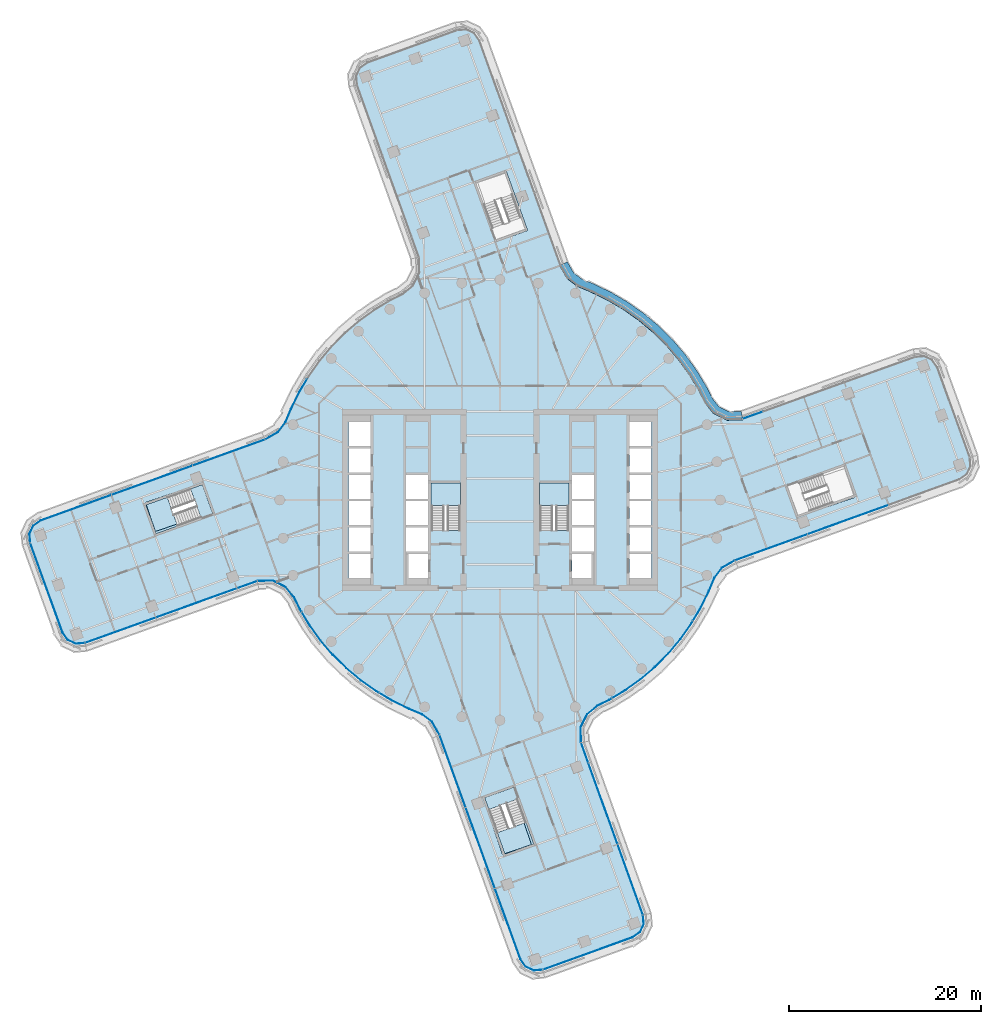
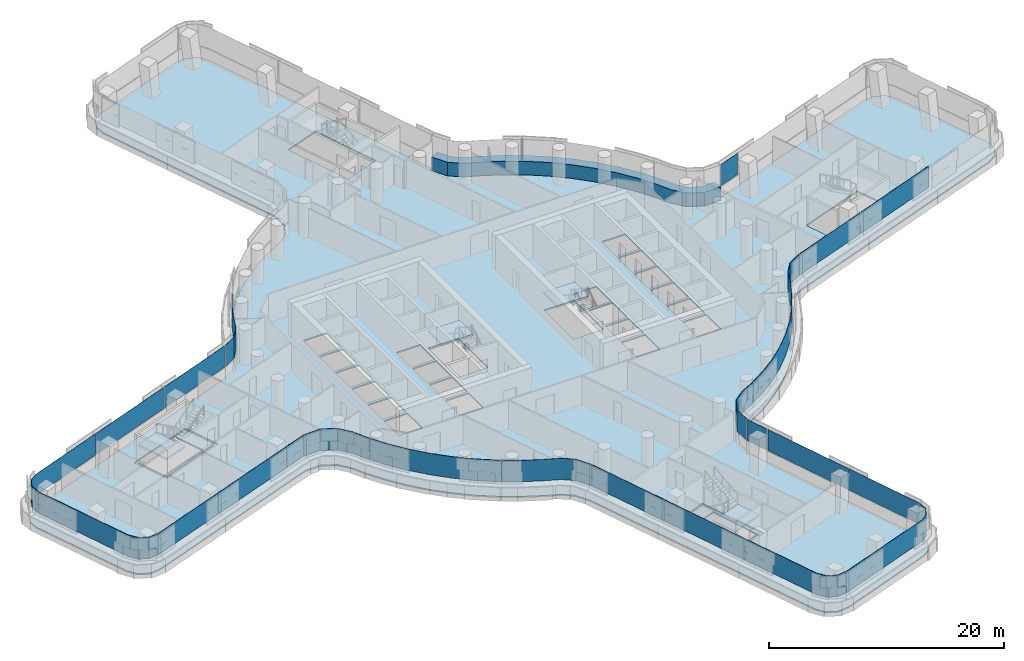
# One storey, part 16 of 30: 24 plates, 7 slabs, 1 member, 16 elements without a shape of their own.
"""IFC4 building model written with IfcOpenShell, lengths in metres."""

from ifc_helpers import new_model, si_unit, direction, frame, origin, place, context, subcontext, project, spatial, polyline, outline, extrude, material, layer, layer_set, type_object, element, aggregate, save


model = new_model("IFC4")

# Units and contexts
model_context = context("Model", 3, precision=1e-05, world=origin(), true_north=direction((0.0, 1.0)))
body_context = subcontext(model_context, "Body", "Model", "MODEL_VIEW")
ifc_project = project(units=[si_unit("LENGTHUNIT", "METRE"), si_unit("AREAUNIT", "SQUARE_METRE"), si_unit("VOLUMEUNIT", "CUBIC_METRE"), si_unit("PLANEANGLEUNIT", "RADIAN"), si_unit("MASSUNIT", "GRAM", prefix="KILO")], contexts=[model_context])

# Site, building, storey
site_placement = place(None, origin())
site = spatial("IfcSite", under=ifc_project, at=site_placement, CompositionType="ELEMENT")
building_placement = place(site_placement, origin())
building = spatial("IfcBuilding", under=site, at=building_placement, Name="Tamarind Cross Interchange Tower", CompositionType="ELEMENT")
storey_placement = place(building_placement, frame((0.0, 0.0, 106.0)))
storey = spatial("IfcBuildingStorey", under=building, at=storey_placement, Name="L25", CompositionType="ELEMENT", Elevation=106.0)

# Curtain wall, member
ifc_material_1 = material(Name="Aluminium 6063-T6", Category="aluminium")
ifc_layer_1 = layer(ifc_material_1, 0.159912109375)
ifc_layer_set_1 = layer_set([ifc_layer_1], Name="Aluminium 6063-T6")
curtain_wall_type = type_object("IfcCurtainWallType", Name="Office curtain wall, 9.0 m bays", PredefinedType="NOTDEFINED", material=ifc_layer_set_1)
curtain_wall_1_placement = place(storey_placement, origin())
curtain_wall_1 = element("IfcCurtainWall", 1, at=curtain_wall_1_placement, inside=storey, type_object=curtain_wall_type, Name="CWS-L25-10", PredefinedType="NOTDEFINED")
ifc_material_2 = material(Name="Aluminium and insulated spandrel panel", Category="aluminium")
member_type = type_object("IfcMemberType", Name="Floor-edge blade transom", PredefinedType="USERDEFINED", material=ifc_material_2)
member_placement = place(storey_placement, origin())
member = element("IfcMember", 2, at=member_placement, type_object=member_type, Name="CWT-L25-10", ObjectType="TRANSOM", PredefinedType="USERDEFINED", context=body_context, shape_type="SweptSolid", body=[
    extrude(outline(polyline([(25.362060546875, 8.368408203125), (23.6923828125, 8.321044921875), (22.293701171875, 9.0234375), (21.4052734375, 10.130859375), (20.791259765625, 11.3671875), (19.78125, 13.045654296875), (18.636474609375, 14.634521484375), (17.3642578125, 16.12353515625), (15.973388671875, 17.50244140625), (14.4736328125, 18.76171875), (12.874755859375, 19.892822265625), (11.188232421875, 20.88818359375), (9.4208984375, 21.74267578125), (8.06201171875, 22.31494140625), (7.00537109375, 23.119140625), (6.510986328125, 23.973876953125), (6.220458984375, 24.50048828125), (7.04296875, 24.873046875), (7.294677734375, 24.41650390625), (7.694091796875, 23.72607421875), (8.516357421875, 23.10009765625), (9.79150390625, 22.56298828125), (11.613525390625, 21.68212890625), (13.3642578125, 20.64892578125), (15.023681640625, 19.474853515625), (16.580810546875, 18.167724609375), (18.0244140625, 16.736572265625), (19.344970703125, 15.19091796875), (20.533203125, 13.54150390625), (21.5810546875, 11.800048828125), (22.16796875, 10.6181640625), (22.873046875, 9.73974609375), (23.8935546875, 9.22705078125), (25.19287109375, 9.263916015625), (25.362060546875, 8.368408203125)])), origin(), (0.0, 0.0, 1.0), 1.39990234375),
])
aggregate(curtain_wall_1, [member])

# Slabs
ifc_material_3 = material(Name="Concrete C35", Category="concrete")
ifc_layer_2 = layer(ifc_material_3, 0.139892578125)
ifc_layer_set_2 = layer_set([ifc_layer_2], Name="Concrete C35")
slab_type_1 = type_object("IfcSlabType", Name="Composite slab 140 Concrete C35", PredefinedType="FLOOR", material=ifc_layer_set_2)
slab_1_placement = place(storey_placement, frame((0.0, 0.0, -0.139892578125)))
element("IfcSlab", 3, at=slab_1_placement, inside=storey, type_object=slab_type_1, Name="Floor slab L25", PredefinedType="FLOOR", context=body_context, shape_type="SweptSolid", body=[
    extrude(outline(polyline([(-24.121337890625, 6.772216796875), (-24.624755859375, 6.49462890625), (-48.049072265625, -1.96240234375), (-48.898681640625, -2.553955078125), (-49.338623046875, -3.490966796875), (-49.2509765625, -4.522705078125), (-45.855224609375, -13.928466796875), (-45.263671875, -14.778076171875), (-44.326416015625, -15.218017578125), (-43.294921875, -15.13037109375), (-25.3056640625, -8.6669921875), (-23.759521484375, -8.623046875), (-22.48681640625, -9.26220703125), (-21.659423828125, -10.293212890625), (-21.054443359375, -11.511474609375), (-20.031982421875, -13.2109375), (-18.87255859375, -14.820068359375), (-17.584228515625, -16.327880859375), (-16.17578125, -17.72412109375), (-14.656982421875, -18.99951171875), (-13.0380859375, -20.14501953125), (-11.329833984375, -21.15283203125), (-9.54443359375, -22.01611328125), (-8.21337890625, -22.57666015625), (-7.23486328125, -23.3212890625), (-6.772216796875, -24.121337890625), (-6.49462890625, -24.624755859375), (1.96240234375, -48.049072265625), (2.553955078125, -48.898681640625), (3.490966796875, -49.338623046875), (4.522705078125, -49.2509765625), (13.928466796875, -45.855224609375), (14.778076171875, -45.263671875), (15.218017578125, -44.326416015625), (15.13037109375, -43.294921875), (8.6669921875, -25.3056640625), (8.623046875, -23.759521484375), (9.26220703125, -22.48681640625), (10.293212890625, -21.659423828125), (11.511474609375, -21.054443359375), (13.2109375, -20.031982421875), (14.820068359375, -18.87255859375), (16.327880859375, -17.584228515625), (17.72412109375, -16.17578125), (18.99951171875, -14.656982421875), (20.14501953125, -13.0380859375), (21.15283203125, -11.329833984375), (22.01611328125, -9.54443359375), (22.57666015625, -8.21337890625), (23.3212890625, -7.23486328125), (24.121337890625, -6.772216796875), (24.624755859375, -6.49462890625), (48.049072265625, 1.96240234375), (48.898681640625, 2.553955078125), (49.338623046875, 3.490966796875), (49.2509765625, 4.522705078125), (45.855224609375, 13.928466796875), (45.263671875, 14.778076171875), (44.326416015625, 15.218017578125), (43.294921875, 15.13037109375), (25.3056640625, 8.6669921875), (23.759521484375, 8.623046875), (22.48681640625, 9.26220703125), (21.659423828125, 10.293212890625), (21.054443359375, 11.511474609375), (20.031982421875, 13.2109375), (18.87255859375, 14.820068359375), (17.584228515625, 16.327880859375), (16.17578125, 17.72412109375), (14.656982421875, 18.99951171875), (13.0380859375, 20.14501953125), (11.329833984375, 21.15283203125), (9.54443359375, 22.01611328125), (8.21337890625, 22.57666015625), (7.23486328125, 23.3212890625), (6.772216796875, 24.121337890625), (6.49462890625, 24.624755859375), (-1.96240234375, 48.049072265625), (-2.553955078125, 48.898681640625), (-3.490966796875, 49.338623046875), (-4.522705078125, 49.2509765625), (-13.928466796875, 45.855224609375), (-14.778076171875, 45.263671875), (-15.218017578125, 44.326416015625), (-15.13037109375, 43.294921875), (-8.6669921875, 25.3056640625), (-8.623046875, 23.759521484375), (-9.26220703125, 22.48681640625), (-10.293212890625, 21.659423828125), (-11.511474609375, 21.054443359375), (-13.2109375, 20.031982421875), (-14.820068359375, 18.87255859375), (-16.327880859375, 17.584228515625), (-17.72412109375, 16.17578125), (-18.99951171875, 14.656982421875), (-20.14501953125, 13.0380859375), (-21.15283203125, 11.329833984375), (-22.01611328125, 9.54443359375), (-22.57666015625, 8.21337890625), (-23.3212890625, 7.23486328125), (-24.121337890625, 6.772216796875)]), holes=[polyline([(-13.5, -8.125), (-15.800048828125, -8.125), (-15.800048828125, -5.625), (-13.5, -5.625), (-13.5, -8.125)]), polyline([(-7.5, -8.125), (-9.800048828125, -8.125), (-9.800048828125, -5.625), (-7.5, -5.625), (-7.5, -8.125)]), polyline([(-13.5, -5.375), (-15.800048828125, -5.375), (-15.800048828125, -2.875), (-13.5, -2.875), (-13.5, -5.375)]), polyline([(-36.0458984375, -3.795166015625), (-36.11376953125, -3.607177734375), (-37.200439453125, -0.59716796875), (-37.268310546875, -0.4091796875), (-37.0, -0.312255859375), (-37.01953125, -0.255615234375), (-33.905517578125, 0.804931640625), (-30.966552734375, 1.8662109375), (-30.898681640625, 1.677978515625), (-29.81201171875, -1.331787109375), (-29.743896484375, -1.52001953125), (-36.0458984375, -3.795166015625)]), polyline([(-13.5, -2.625), (-15.800048828125, -2.625), (-15.800048828125, -0.125), (-13.5, -0.125), (-13.5, -2.625)]), polyline([(-7.5, -2.625), (-9.800048828125, -2.625), (-9.800048828125, -0.125), (-7.5, -0.125), (-7.5, -2.625)]), polyline([(-13.5, 0.125), (-15.800048828125, 0.125), (-15.800048828125, 2.625), (-13.5, 2.625), (-13.5, 0.125)]), polyline([(-7.5, 0.125), (-9.800048828125, 0.125), (-9.800048828125, 2.625), (-7.5, 2.625), (-7.5, 0.125)]), polyline([(-13.5, 2.875), (-15.800048828125, 2.875), (-15.800048828125, 5.375), (-13.5, 5.375), (-13.5, 2.875)]), polyline([(-15.800048828125, 5.625), (-15.800048828125, 8.125), (-13.5, 8.125), (-13.5, 5.625), (-15.800048828125, 5.625)]), polyline([(3.795166015625, -36.0458984375), (3.607177734375, -36.11376953125), (0.59716796875, -37.200439453125), (0.4091796875, -37.268310546875), (0.312255859375, -37.0), (0.255615234375, -37.01953125), (-0.804931640625, -33.905517578125), (-1.8662109375, -30.966552734375), (-1.677978515625, -30.898681640625), (1.331787109375, -29.81201171875), (1.52001953125, -29.743896484375), (3.795166015625, -36.0458984375)]), polyline([(-9.800048828125, -5.375), (-9.800048828125, -2.875), (-7.5, -2.875), (-7.5, -5.375), (-9.800048828125, -5.375)]), polyline([(-4.199951171875, -3.18798828125), (-7.14990234375, -3.18798828125), (-7.14990234375, 1.800048828125), (-4.199951171875, 1.800048828125), (-4.199951171875, -3.18798828125)]), polyline([(7.14990234375, 1.800048828125), (7.14990234375, -3.18798828125), (4.199951171875, -3.18798828125), (4.199951171875, 1.800048828125), (7.14990234375, 1.800048828125)]), polyline([(7.5, 2.625), (9.800048828125, 2.625), (9.800048828125, 0.125), (7.5, 0.125), (7.5, 2.625)]), polyline([(-2.776611328125, 33.22412109375), (-2.58837890625, 33.2919921875), (0.42138671875, 34.378662109375), (0.609619140625, 34.446533203125), (0.70654296875, 34.177978515625), (0.711669921875, 34.1796875), (0.804931640625, 33.905517578125), (2.884765625, 28.144775390625), (2.69677734375, 28.076904296875), (-0.313232421875, 26.990234375), (-0.501220703125, 26.92236328125), (-2.776611328125, 33.22412109375)]), polyline([(7.5, -5.625), (9.800048828125, -5.625), (9.800048828125, -8.125), (7.5, -8.125), (7.5, -5.625)]), polyline([(15.800048828125, -5.625), (15.800048828125, -8.125), (13.5, -8.125), (13.5, -5.625), (15.800048828125, -5.625)]), polyline([(9.800048828125, -2.875), (9.800048828125, -5.375), (7.5, -5.375), (7.5, -2.875), (9.800048828125, -2.875)]), polyline([(13.5, -2.875), (15.800048828125, -2.875), (15.800048828125, -5.375), (13.5, -5.375), (13.5, -2.875)]), polyline([(7.5, -0.125), (9.800048828125, -0.125), (9.800048828125, -2.625), (7.5, -2.625), (7.5, -0.125)]), polyline([(13.5, -0.125), (15.800048828125, -0.125), (15.800048828125, -2.625), (13.5, -2.625), (13.5, -0.125)]), polyline([(30.966552734375, -1.8662109375), (30.898681640625, -1.677978515625), (29.81201171875, 1.331787109375), (29.743896484375, 1.52001953125), (36.0458984375, 3.795166015625), (36.11376953125, 3.607177734375), (37.200439453125, 0.59716796875), (37.268310546875, 0.4091796875), (37.0, 0.312255859375), (37.01953125, 0.255615234375), (33.905517578125, -0.804931640625), (30.966552734375, -1.8662109375)]), polyline([(15.800048828125, 2.625), (15.800048828125, 0.125), (13.5, 0.125), (13.5, 2.625), (15.800048828125, 2.625)]), polyline([(15.800048828125, 5.375), (15.800048828125, 2.875), (13.5, 2.875), (13.5, 5.375), (15.800048828125, 5.375)]), polyline([(15.800048828125, 8.125), (15.800048828125, 5.625), (13.5, 5.625), (13.5, 8.125), (15.800048828125, 8.125)])]), origin(), (0.0, 0.0, 1.0), 0.139892578125),
])
slab_2_placement = place(storey_placement, frame((0.0, 0.0, -0.139892578125)))
element("IfcSlab", 4, at=slab_2_placement, inside=storey, type_object=slab_type_1, Name="Floor slab L25", PredefinedType="FLOOR", context=body_context, shape_type="SweptSolid", body=[
    extrude(outline(polyline([(-30.0, -1.39990234375), (-31.086669921875, 1.610107421875), (-32.32080078125, 1.16455078125), (-31.291748046875, -1.685302734375), (-35.98779296875, -3.28466796875), (-36.935791015625, -0.501708984375), (-37.01220703125, -0.529296875), (-35.92578125, -3.539306640625), (-30.0, -1.39990234375)])), origin(), (0.0, 0.0, 1.0), 0.139892578125),
])
slab_3_placement = place(storey_placement, frame((0.0, 0.0, -0.139892578125)))
element("IfcSlab", 5, at=slab_3_placement, inside=storey, type_object=slab_type_1, Name="Floor slab L25", PredefinedType="FLOOR", context=body_context, shape_type="SweptSolid", body=[
    extrude(outline(polyline([(1.39990234375, -30.0), (-1.610107421875, -31.086669921875), (-1.16455078125, -32.32080078125), (1.685302734375, -31.291748046875), (3.28466796875, -35.98779296875), (0.501708984375, -36.935791015625), (0.529296875, -37.01220703125), (3.539306640625, -35.92578125), (1.39990234375, -30.0)])), origin(), (0.0, 0.0, 1.0), 0.139892578125),
])

# Stair, slab
ifc_material_4 = material(Name="Exit stair")
stair_type = type_object("IfcStairType", Name="Exit stair", PredefinedType="HALF_TURN_STAIR", material=ifc_material_4)
stair_1_placement = place(storey_placement, origin())
stair_1 = element("IfcStair", 6, at=stair_1_placement, inside=storey, type_object=stair_type, Name="L25 exit stair ST1", PredefinedType="HALF_TURN_STAIR")
ifc_material_5 = material(Name="Concrete C40", Category="concrete")
ifc_layer_3 = layer(ifc_material_5, 0.199951171875)
ifc_layer_set_3 = layer_set([ifc_layer_3], Name="Concrete C40")
slab_type_2 = type_object("IfcSlabType", Name="Stair landing", PredefinedType="LANDING", material=ifc_layer_set_3)
slab_4_placement = place(storey_placement, frame((0.0, 0.0, 1.675048828125)))
slab_4 = element("IfcSlab", 7, at=slab_4_placement, type_object=slab_type_2, Name="ST1 landing 1", PredefinedType="LANDING", context=body_context, shape_type="SweptSolid", body=[
    extrude(outline(polyline([(-4.10009765625, -0.60009765625), (-4.10009765625, 1.800048828125), (-7.199951171875, 1.800048828125), (-7.199951171875, -0.60009765625), (-4.10009765625, -0.60009765625)])), origin(), (0.0, 0.0, 1.0), 0.199951171875),
])
aggregate(stair_1, [slab_4])

stair_2_placement = place(storey_placement, origin())
stair_2 = element("IfcStair", 8, at=stair_2_placement, inside=storey, type_object=stair_type, Name="L25 exit stair ST2", PredefinedType="HALF_TURN_STAIR")
slab_5_placement = place(storey_placement, frame((0.0, 0.0, 1.675048828125)))
slab_5 = element("IfcSlab", 9, at=slab_5_placement, type_object=slab_type_2, Name="ST2 landing 1", PredefinedType="LANDING", context=body_context, shape_type="SweptSolid", body=[
    extrude(outline(polyline([(7.199951171875, -0.60009765625), (7.199951171875, 1.800048828125), (4.10009765625, 1.800048828125), (4.10009765625, -0.60009765625), (7.199951171875, -0.60009765625)])), origin(), (0.0, 0.0, 1.0), 0.199951171875),
])
aggregate(stair_2, [slab_5])

stair_3_placement = place(storey_placement, origin())
stair_3 = element("IfcStair", 10, at=stair_3_placement, inside=storey, type_object=stair_type, Name="L25 exit stair ST5", PredefinedType="HALF_TURN_STAIR")
slab_6_placement = place(storey_placement, frame((0.0, 0.0, 1.675048828125)))
slab_6 = element("IfcSlab", 11, at=slab_6_placement, type_object=slab_type_2, Name="ST5 landing 1", PredefinedType="LANDING", context=body_context, shape_type="SweptSolid", body=[
    extrude(outline(polyline([(-34.74365234375, 0.289794921875), (-37.01220703125, -0.529296875), (-35.92578125, -3.5390625), (-33.656982421875, -2.72021484375), (-34.74365234375, 0.289794921875)])), origin(), (0.0, 0.0, 1.0), 0.199951171875),
])
aggregate(stair_3, [slab_6])

stair_4_placement = place(storey_placement, origin())
stair_4 = element("IfcStair", 12, at=stair_4_placement, inside=storey, type_object=stair_type, Name="L25 exit stair ST6", PredefinedType="HALF_TURN_STAIR")
slab_7_placement = place(storey_placement, frame((0.0, 0.0, 1.675048828125)))
slab_7 = element("IfcSlab", 13, at=slab_7_placement, type_object=slab_type_2, Name="ST6 landing 1", PredefinedType="LANDING", context=body_context, shape_type="SweptSolid", body=[
    extrude(outline(polyline([(-0.289794921875, -34.74365234375), (0.529296875, -37.01220703125), (3.5390625, -35.92578125), (2.72021484375, -33.656982421875), (-0.289794921875, -34.74365234375)])), origin(), (0.0, 0.0, 1.0), 0.199951171875),
])
aggregate(stair_4, [slab_7])

# Curtain wall, plate
curtain_wall_2_placement = place(storey_placement, origin())
curtain_wall_2 = element("IfcCurtainWall", 14, at=curtain_wall_2_placement, inside=storey, type_object=curtain_wall_type, Name="CWS-L25-00", PredefinedType="NOTDEFINED")
ifc_material_6 = material(Name="Laminated low-e glass 8+1.52+8", Category="glass")
ifc_layer_4 = layer(ifc_material_6, 0.028076171875)
ifc_layer_set_4 = layer_set([ifc_layer_4], Name="Laminated low-e glass 8+1.52+8")
plate_type = type_object("IfcPlateType", Name="Vision panel CW1", PredefinedType="CURTAIN_PANEL", material=ifc_layer_set_4)
plate_1_placement = place(storey_placement, frame((0.0, 0.0, 1.39990234375)))
plate_1 = element("IfcPlate", 15, at=plate_1_placement, type_object=plate_type, Name="CWP-L25-00-00", PredefinedType="CURTAIN_PANEL", context=body_context, shape_type="SweptSolid", body=[
    extrude(outline(polyline([(-49.030517578125, -4.5029296875), (-45.66357421875, -13.8291015625), (-45.120849609375, -14.608642578125), (-44.287353515625, -14.999755859375), (-43.368896484375, -14.921875), (-43.36669921875, -14.94970703125), (-44.29248046875, -15.0283203125), (-45.139404296875, -14.630859375), (-45.688720703125, -13.84228515625), (-49.056884765625, -4.512451171875), (-49.030517578125, -4.5029296875)])), origin(), (0.0, 0.0, 1.0), 2.210205078125),
])
aggregate(curtain_wall_2, [plate_1])

# Curtain wall, plates
curtain_wall_3_placement = place(storey_placement, origin())
curtain_wall_3 = element("IfcCurtainWall", 16, at=curtain_wall_3_placement, inside=storey, type_object=curtain_wall_type, Name="CWS-L25-01", PredefinedType="NOTDEFINED")
plate_2_placement = place(storey_placement, frame((0.0, 0.0, 1.39990234375)))
plate_2 = element("IfcPlate", 17, at=plate_2_placement, type_object=plate_type, Name="CWP-L25-01-00", PredefinedType="CURTAIN_PANEL", context=body_context, shape_type="SweptSolid", body=[
    extrude(outline(polyline([(-43.314453125, -14.909912109375), (-35.964599609375, -12.269287109375), (-35.955078125, -12.295654296875), (-43.304931640625, -14.936279296875), (-43.314453125, -14.909912109375)])), origin(), (0.0, 0.0, 1.0), 2.210205078125),
])
plate_3_placement = place(storey_placement, frame((0.0, 0.0, 1.39990234375)))
plate_3 = element("IfcPlate", 18, at=plate_3_placement, type_object=plate_type, Name="CWP-L25-01-01", PredefinedType="CURTAIN_PANEL", context=body_context, shape_type="SweptSolid", body=[
    extrude(outline(polyline([(-35.908203125, -12.2490234375), (-27.4921875, -9.22509765625), (-27.482666015625, -9.25146484375), (-35.898681640625, -12.275390625), (-35.908203125, -12.2490234375)])), origin(), (0.0, 0.0, 1.0), 2.210205078125),
])
plate_4_placement = place(storey_placement, frame((0.0, 0.0, 1.39990234375)))
plate_4 = element("IfcPlate", 19, at=plate_4_placement, type_object=plate_type, Name="CWP-L25-01-02", PredefinedType="CURTAIN_PANEL", context=body_context, shape_type="SweptSolid", body=[
    extrude(outline(polyline([(-27.435546875, -9.204833984375), (-25.376220703125, -8.46484375), (-25.36669921875, -8.4912109375), (-27.42626953125, -9.231201171875), (-27.435546875, -9.204833984375)])), origin(), (0.0, 0.0, 1.0), 2.210205078125),
])
aggregate(curtain_wall_3, [plate_2, plate_3, plate_4])

curtain_wall_4_placement = place(storey_placement, origin())
curtain_wall_4 = element("IfcCurtainWall", 20, at=curtain_wall_4_placement, inside=storey, type_object=curtain_wall_type, Name="CWS-L25-02", PredefinedType="NOTDEFINED")
plate_5_placement = place(storey_placement, frame((0.0, 0.0, 1.39990234375)))
plate_5 = element("IfcPlate", 21, at=plate_5_placement, type_object=plate_type, Name="CWP-L25-02-00", PredefinedType="CURTAIN_PANEL", context=body_context, shape_type="SweptSolid", body=[
    extrude(outline(polyline([(-25.313720703125, -8.453125), (-23.711669921875, -8.407470703125), (-22.34912109375, -9.092041015625), (-21.478271484375, -10.177490234375), (-20.86669921875, -11.40869140625), (-20.707275390625, -11.67333984375), (-20.731201171875, -11.68798828125), (-20.89111328125, -11.422119140625), (-21.501953125, -10.192626953125), (-22.3671875, -9.1142578125), (-23.718017578125, -8.435791015625), (-25.312744140625, -8.481201171875), (-25.313720703125, -8.453125)])), origin(), (0.0, 0.0, 1.0), 2.210205078125),
])
plate_6_placement = place(storey_placement, frame((0.0, 0.0, 1.39990234375)))
plate_6 = element("IfcPlate", 22, at=plate_6_placement, type_object=plate_type, Name="CWP-L25-02-01", PredefinedType="CURTAIN_PANEL", context=body_context, shape_type="SweptSolid", body=[
    extrude(outline(polyline([(-20.67626953125, -11.724853515625), (-19.85302734375, -13.093017578125), (-18.7041015625, -14.687744140625), (-17.42724609375, -16.18212890625), (-16.031494140625, -17.56591796875), (-14.526123046875, -18.829833984375), (-12.921630859375, -19.965087890625), (-12.658935546875, -20.1201171875), (-12.673095703125, -20.144287109375), (-12.936767578125, -19.988525390625), (-14.543212890625, -18.85205078125), (-16.05029296875, -17.586669921875), (-17.44775390625, -16.201171875), (-18.72607421875, -14.705078125), (-19.87646484375, -13.1083984375), (-20.700439453125, -11.7392578125), (-20.67626953125, -11.724853515625)])), origin(), (0.0, 0.0, 1.0), 2.210205078125),
])
plate_7_placement = place(storey_placement, frame((0.0, 0.0, 1.39990234375)))
plate_7 = element("IfcPlate", 23, at=plate_7_placement, type_object=plate_type, Name="CWP-L25-02-02", PredefinedType="CURTAIN_PANEL", context=body_context, shape_type="SweptSolid", body=[
    extrude(outline(polyline([(-12.607177734375, -20.150634765625), (-11.228759765625, -20.9638671875), (-9.456298828125, -21.821044921875), (-8.10546875, -22.389892578125), (-7.071044921875, -23.17724609375), (-6.5859375, -24.01611328125), (-6.314208984375, -24.5087890625), (-6.338623046875, -24.5224609375), (-6.6103515625, -24.02978515625), (-7.092529296875, -23.196044921875), (-8.11962890625, -22.414306640625), (-9.4677734375, -21.8466796875), (-11.241943359375, -20.98876953125), (-12.621337890625, -20.1748046875), (-12.607177734375, -20.150634765625)])), origin(), (0.0, 0.0, 1.0), 2.210205078125),
])
aggregate(curtain_wall_4, [plate_5, plate_6, plate_7])

curtain_wall_5_placement = place(storey_placement, origin())
curtain_wall_5 = element("IfcCurtainWall", 24, at=curtain_wall_5_placement, inside=storey, type_object=curtain_wall_type, Name="CWS-L25-03", PredefinedType="NOTDEFINED")
plate_8_placement = place(storey_placement, frame((0.0, 0.0, 1.39990234375)))
plate_8 = element("IfcPlate", 25, at=plate_8_placement, type_object=plate_type, Name="CWP-L25-03-00", PredefinedType="CURTAIN_PANEL", context=body_context, shape_type="SweptSolid", body=[
    extrude(outline(polyline([(-6.28857421875, -24.5654296875), (-3.5810546875, -32.06494140625), (-3.607177734375, -32.074462890625), (-6.31494140625, -24.574951171875), (-6.28857421875, -24.5654296875)])), origin(), (0.0, 0.0, 1.0), 2.210205078125),
])
plate_9_placement = place(storey_placement, frame((0.0, 0.0, 1.39990234375)))
plate_9 = element("IfcPlate", 26, at=plate_9_placement, type_object=plate_type, Name="CWP-L25-03-01", PredefinedType="CURTAIN_PANEL", context=body_context, shape_type="SweptSolid", body=[
    extrude(outline(polyline([(-3.560546875, -32.121337890625), (-0.526123046875, -40.526611328125), (-0.552490234375, -40.5361328125), (-3.5869140625, -32.130859375), (-3.560546875, -32.121337890625)])), origin(), (0.0, 0.0, 1.0), 2.210205078125),
])
plate_10_placement = place(storey_placement, frame((0.0, 0.0, 1.39990234375)))
plate_10 = element("IfcPlate", 27, at=plate_10_placement, type_object=plate_type, Name="CWP-L25-03-02", PredefinedType="CURTAIN_PANEL", context=body_context, shape_type="SweptSolid", body=[
    extrude(outline(polyline([(-0.505615234375, -40.5830078125), (2.154052734375, -47.949951171875), (2.69677734375, -48.729248046875), (3.530029296875, -49.12060546875), (4.448486328125, -49.04248046875), (4.45068359375, -49.070556640625), (3.52490234375, -49.14892578125), (2.677978515625, -48.75146484375), (2.12890625, -47.962890625), (-0.531982421875, -40.592529296875), (-0.505615234375, -40.5830078125)])), origin(), (0.0, 0.0, 1.0), 2.210205078125),
])
aggregate(curtain_wall_5, [plate_8, plate_9, plate_10])

# Curtain wall, plate
curtain_wall_6_placement = place(storey_placement, origin())
curtain_wall_6 = element("IfcCurtainWall", 28, at=curtain_wall_6_placement, inside=storey, type_object=curtain_wall_type, Name="CWS-L25-04", PredefinedType="NOTDEFINED")
plate_11_placement = place(storey_placement, frame((0.0, 0.0, 1.39990234375)))
plate_11 = element("IfcPlate", 29, at=plate_11_placement, type_object=plate_type, Name="CWP-L25-04-00", PredefinedType="CURTAIN_PANEL", context=body_context, shape_type="SweptSolid", body=[
    extrude(outline(polyline([(4.5029296875, -49.030517578125), (13.8291015625, -45.66357421875), (14.608642578125, -45.120849609375), (14.999755859375, -44.287353515625), (14.921875, -43.368896484375), (14.94970703125, -43.36669921875), (15.0283203125, -44.29248046875), (14.630859375, -45.139404296875), (13.84228515625, -45.688720703125), (4.512451171875, -49.056884765625), (4.5029296875, -49.030517578125)])), origin(), (0.0, 0.0, 1.0), 2.210205078125),
])
aggregate(curtain_wall_6, [plate_11])

# Curtain wall, plates
curtain_wall_7_placement = place(storey_placement, origin())
curtain_wall_7 = element("IfcCurtainWall", 30, at=curtain_wall_7_placement, inside=storey, type_object=curtain_wall_type, Name="CWS-L25-05", PredefinedType="NOTDEFINED")
plate_12_placement = place(storey_placement, frame((0.0, 0.0, 1.39990234375)))
plate_12 = element("IfcPlate", 31, at=plate_12_placement, type_object=plate_type, Name="CWP-L25-05-00", PredefinedType="CURTAIN_PANEL", context=body_context, shape_type="SweptSolid", body=[
    extrude(outline(polyline([(14.909912109375, -43.314453125), (12.269287109375, -35.964599609375), (12.295654296875, -35.955078125), (14.936279296875, -43.304931640625), (14.909912109375, -43.314453125)])), origin(), (0.0, 0.0, 1.0), 2.210205078125),
])
plate_13_placement = place(storey_placement, frame((0.0, 0.0, 1.39990234375)))
plate_13 = element("IfcPlate", 32, at=plate_13_placement, type_object=plate_type, Name="CWP-L25-05-01", PredefinedType="CURTAIN_PANEL", context=body_context, shape_type="SweptSolid", body=[
    extrude(outline(polyline([(12.2490234375, -35.908203125), (9.22509765625, -27.4921875), (9.25146484375, -27.482666015625), (12.275390625, -35.898681640625), (12.2490234375, -35.908203125)])), origin(), (0.0, 0.0, 1.0), 2.210205078125),
])
plate_14_placement = place(storey_placement, frame((0.0, 0.0, 1.39990234375)))
plate_14 = element("IfcPlate", 33, at=plate_14_placement, type_object=plate_type, Name="CWP-L25-05-02", PredefinedType="CURTAIN_PANEL", context=body_context, shape_type="SweptSolid", body=[
    extrude(outline(polyline([(9.204833984375, -27.435546875), (8.46484375, -25.376220703125), (8.4912109375, -25.36669921875), (9.231201171875, -27.42626953125), (9.204833984375, -27.435546875)])), origin(), (0.0, 0.0, 1.0), 2.210205078125),
])
aggregate(curtain_wall_7, [plate_12, plate_13, plate_14])

curtain_wall_8_placement = place(storey_placement, origin())
curtain_wall_8 = element("IfcCurtainWall", 34, at=curtain_wall_8_placement, inside=storey, type_object=curtain_wall_type, Name="CWS-L25-06", PredefinedType="NOTDEFINED")
plate_15_placement = place(storey_placement, frame((0.0, 0.0, 1.39990234375)))
plate_15 = element("IfcPlate", 35, at=plate_15_placement, type_object=plate_type, Name="CWP-L25-06-00", PredefinedType="CURTAIN_PANEL", context=body_context, shape_type="SweptSolid", body=[
    extrude(outline(polyline([(8.453125, -25.313720703125), (8.407470703125, -23.711669921875), (9.092041015625, -22.34912109375), (10.177490234375, -21.478271484375), (11.40869140625, -20.86669921875), (11.67333984375, -20.707275390625), (11.68798828125, -20.731201171875), (11.422119140625, -20.89111328125), (10.192626953125, -21.501953125), (9.1142578125, -22.3671875), (8.435791015625, -23.718017578125), (8.481201171875, -25.312744140625), (8.453125, -25.313720703125)])), origin(), (0.0, 0.0, 1.0), 2.210205078125),
])
plate_16_placement = place(storey_placement, frame((0.0, 0.0, 1.39990234375)))
plate_16 = element("IfcPlate", 36, at=plate_16_placement, type_object=plate_type, Name="CWP-L25-06-01", PredefinedType="CURTAIN_PANEL", context=body_context, shape_type="SweptSolid", body=[
    extrude(outline(polyline([(11.724853515625, -20.67626953125), (13.093017578125, -19.85302734375), (14.687744140625, -18.7041015625), (16.18212890625, -17.42724609375), (17.56591796875, -16.031494140625), (18.829833984375, -14.526123046875), (19.965087890625, -12.921630859375), (20.1201171875, -12.658935546875), (20.144287109375, -12.673095703125), (19.988525390625, -12.936767578125), (18.85205078125, -14.543212890625), (17.586669921875, -16.05029296875), (16.201171875, -17.44775390625), (14.705078125, -18.72607421875), (13.1083984375, -19.87646484375), (11.7392578125, -20.700439453125), (11.724853515625, -20.67626953125)])), origin(), (0.0, 0.0, 1.0), 2.210205078125),
])
plate_17_placement = place(storey_placement, frame((0.0, 0.0, 1.39990234375)))
plate_17 = element("IfcPlate", 37, at=plate_17_placement, type_object=plate_type, Name="CWP-L25-06-02", PredefinedType="CURTAIN_PANEL", context=body_context, shape_type="SweptSolid", body=[
    extrude(outline(polyline([(20.150634765625, -12.607177734375), (20.9638671875, -11.228759765625), (21.821044921875, -9.456298828125), (22.389892578125, -8.10546875), (23.17724609375, -7.071044921875), (24.01611328125, -6.5859375), (24.5087890625, -6.314208984375), (24.5224609375, -6.338623046875), (24.02978515625, -6.6103515625), (23.196044921875, -7.092529296875), (22.414306640625, -8.11962890625), (21.8466796875, -9.4677734375), (20.98876953125, -11.241943359375), (20.1748046875, -12.621337890625), (20.150634765625, -12.607177734375)])), origin(), (0.0, 0.0, 1.0), 2.210205078125),
])
aggregate(curtain_wall_8, [plate_15, plate_16, plate_17])

curtain_wall_9_placement = place(storey_placement, origin())
curtain_wall_9 = element("IfcCurtainWall", 38, at=curtain_wall_9_placement, inside=storey, type_object=curtain_wall_type, Name="CWS-L25-07", PredefinedType="NOTDEFINED")
plate_18_placement = place(storey_placement, frame((0.0, 0.0, 1.39990234375)))
plate_18 = element("IfcPlate", 39, at=plate_18_placement, type_object=plate_type, Name="CWP-L25-07-00", PredefinedType="CURTAIN_PANEL", context=body_context, shape_type="SweptSolid", body=[
    extrude(outline(polyline([(24.5654296875, -6.28857421875), (32.06494140625, -3.5810546875), (32.074462890625, -3.607177734375), (24.574951171875, -6.31494140625), (24.5654296875, -6.28857421875)])), origin(), (0.0, 0.0, 1.0), 2.210205078125),
])
plate_19_placement = place(storey_placement, frame((0.0, 0.0, 1.39990234375)))
plate_19 = element("IfcPlate", 40, at=plate_19_placement, type_object=plate_type, Name="CWP-L25-07-01", PredefinedType="CURTAIN_PANEL", context=body_context, shape_type="SweptSolid", body=[
    extrude(outline(polyline([(32.121337890625, -3.560546875), (40.526611328125, -0.526123046875), (40.5361328125, -0.552490234375), (32.130859375, -3.5869140625), (32.121337890625, -3.560546875)])), origin(), (0.0, 0.0, 1.0), 2.210205078125),
])
aggregate(curtain_wall_9, [plate_18, plate_19])

# Curtain wall, plate
curtain_wall_10_placement = place(storey_placement, origin())
curtain_wall_10 = element("IfcCurtainWall", 41, at=curtain_wall_10_placement, inside=storey, type_object=curtain_wall_type, Name="CWS-L25-09", PredefinedType="NOTDEFINED")
plate_20_placement = place(storey_placement, frame((0.0, 0.0, 1.39990234375)))
plate_20 = element("IfcPlate", 42, at=plate_20_placement, type_object=plate_type, Name="CWP-L25-09-02", PredefinedType="CURTAIN_PANEL", context=body_context, shape_type="SweptSolid", body=[
    extrude(outline(polyline([(27.435546875, 9.204833984375), (25.376220703125, 8.46484375), (25.36669921875, 8.4912109375), (27.42626953125, 9.231201171875), (27.435546875, 9.204833984375)])), origin(), (0.0, 0.0, 1.0), 2.210205078125),
])
aggregate(curtain_wall_10, [plate_20])

curtain_wall_11_placement = place(storey_placement, origin())
curtain_wall_11 = element("IfcCurtainWall", 43, at=curtain_wall_11_placement, inside=storey, type_object=curtain_wall_type, Name="CWS-L25-14", PredefinedType="NOTDEFINED")
plate_21_placement = place(storey_placement, frame((0.0, 0.0, 1.39990234375)))
plate_21 = element("IfcPlate", 44, at=plate_21_placement, type_object=plate_type, Name="CWP-L25-14-02", PredefinedType="CURTAIN_PANEL", context=body_context, shape_type="SweptSolid", body=[
    extrude(outline(polyline([(-20.150634765625, 12.607177734375), (-20.9638671875, 11.228759765625), (-21.821044921875, 9.456298828125), (-22.389892578125, 8.10546875), (-23.17724609375, 7.071044921875), (-24.01611328125, 6.5859375), (-24.5087890625, 6.314208984375), (-24.5224609375, 6.338623046875), (-24.02978515625, 6.6103515625), (-23.196044921875, 7.092529296875), (-22.414306640625, 8.11962890625), (-21.8466796875, 9.4677734375), (-20.98876953125, 11.241943359375), (-20.1748046875, 12.621337890625), (-20.150634765625, 12.607177734375)])), origin(), (0.0, 0.0, 1.0), 2.210205078125),
])
aggregate(curtain_wall_11, [plate_21])

# Curtain wall, plates
curtain_wall_12_placement = place(storey_placement, origin())
curtain_wall_12 = element("IfcCurtainWall", 45, at=curtain_wall_12_placement, inside=storey, type_object=curtain_wall_type, Name="CWS-L25-15", PredefinedType="NOTDEFINED")
plate_22_placement = place(storey_placement, frame((0.0, 0.0, 1.39990234375)))
plate_22 = element("IfcPlate", 46, at=plate_22_placement, type_object=plate_type, Name="CWP-L25-15-00", PredefinedType="CURTAIN_PANEL", context=body_context, shape_type="SweptSolid", body=[
    extrude(outline(polyline([(-24.5654296875, 6.28857421875), (-32.06494140625, 3.5810546875), (-32.074462890625, 3.607177734375), (-24.574951171875, 6.31494140625), (-24.5654296875, 6.28857421875)])), origin(), (0.0, 0.0, 1.0), 2.210205078125),
])
plate_23_placement = place(storey_placement, frame((0.0, 0.0, 1.39990234375)))
plate_23 = element("IfcPlate", 47, at=plate_23_placement, type_object=plate_type, Name="CWP-L25-15-01", PredefinedType="CURTAIN_PANEL", context=body_context, shape_type="SweptSolid", body=[
    extrude(outline(polyline([(-32.121337890625, 3.560546875), (-40.526611328125, 0.526123046875), (-40.5361328125, 0.552490234375), (-32.130859375, 3.5869140625), (-32.121337890625, 3.560546875)])), origin(), (0.0, 0.0, 1.0), 2.210205078125),
])
plate_24_placement = place(storey_placement, frame((0.0, 0.0, 1.39990234375)))
plate_24 = element("IfcPlate", 48, at=plate_24_placement, type_object=plate_type, Name="CWP-L25-15-02", PredefinedType="CURTAIN_PANEL", context=body_context, shape_type="SweptSolid", body=[
    extrude(outline(polyline([(-40.5830078125, 0.505615234375), (-47.949951171875, -2.154052734375), (-48.729248046875, -2.69677734375), (-49.12060546875, -3.530029296875), (-49.04248046875, -4.448486328125), (-49.070556640625, -4.45068359375), (-49.14892578125, -3.52490234375), (-48.75146484375, -2.677978515625), (-47.962890625, -2.12890625), (-40.592529296875, 0.531982421875), (-40.5830078125, 0.505615234375)])), origin(), (0.0, 0.0, 1.0), 2.210205078125),
])
aggregate(curtain_wall_12, [plate_22, plate_23, plate_24])

save(model, "model.ifc")
